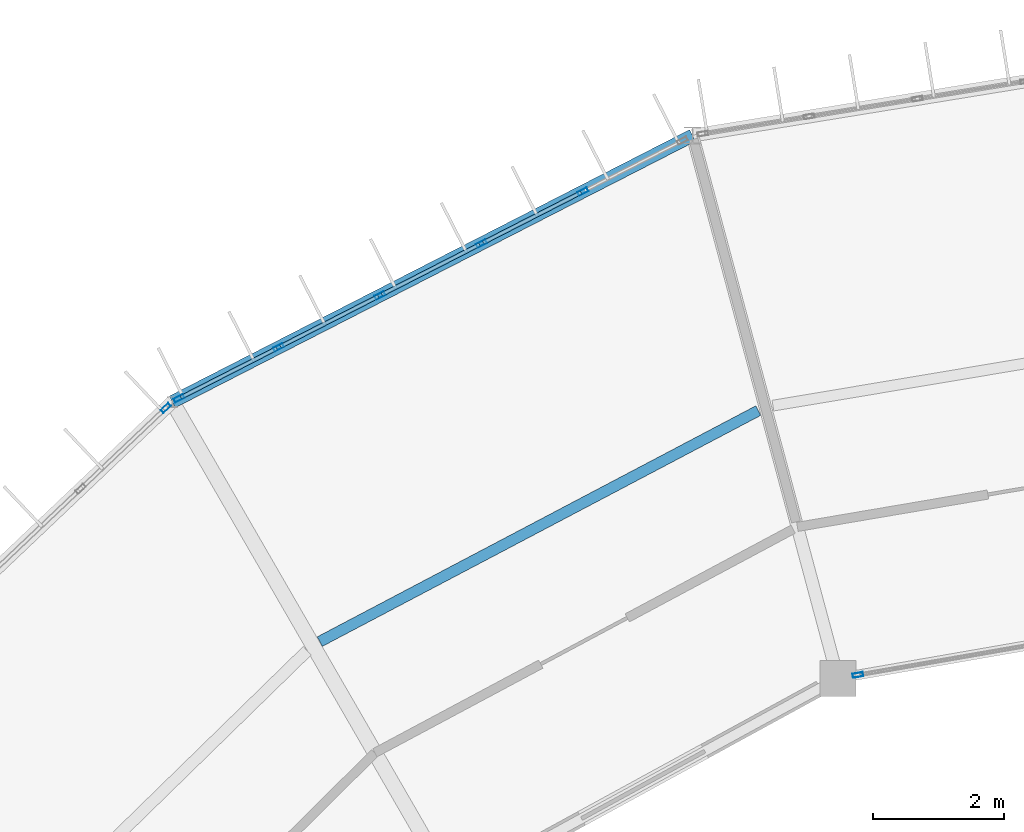
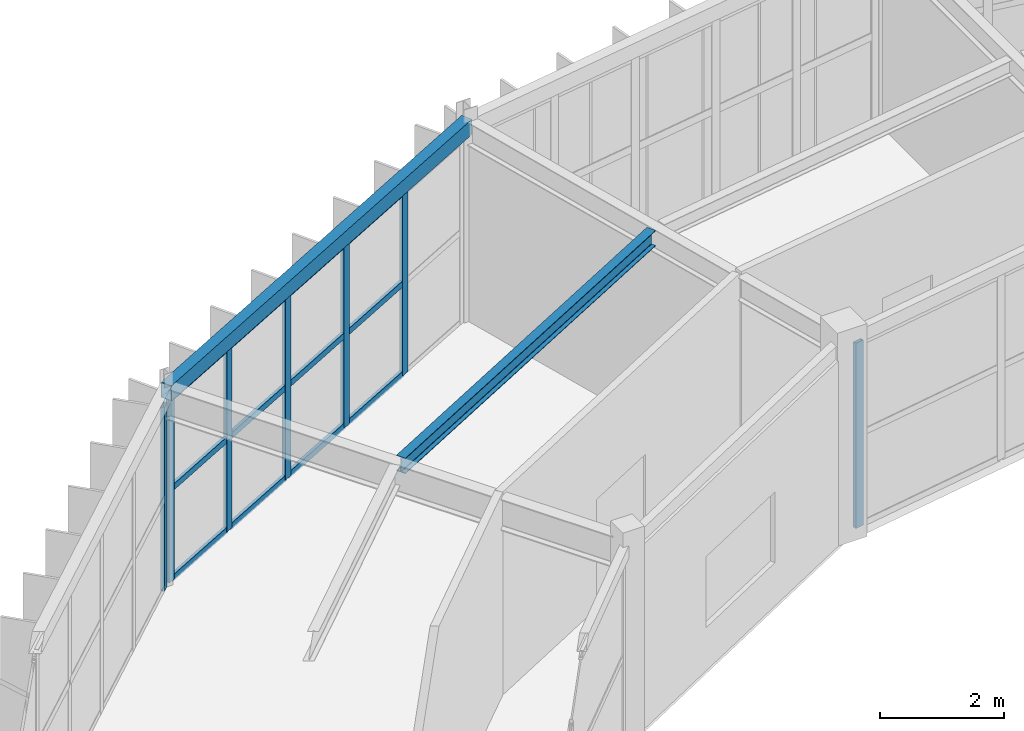
# One storey, part 69 of 130: 19 members, 2 beams, 3 elements without a shape of their own.
"""IFC4 building model written with IfcOpenShell, lengths in metres."""

from ifc_helpers import new_model, si_unit, direction, frame, origin, origin_2d, place, context, subcontext, project, spatial, hollow_rectangle, i_section, extrude, material, material_profile, profile_set, type_object, element, aggregate, save


model = new_model("IFC4")

# Units and contexts
model_context = context("Model", 3, precision=1e-05, world=origin(), true_north=direction((0.0, 1.0)))
body_context = subcontext(model_context, "Body", "Model", "MODEL_VIEW")
ifc_project = project(units=[si_unit("LENGTHUNIT", "METRE"), si_unit("AREAUNIT", "SQUARE_METRE"), si_unit("VOLUMEUNIT", "CUBIC_METRE"), si_unit("PLANEANGLEUNIT", "RADIAN"), si_unit("MASSUNIT", "GRAM", prefix="KILO")], contexts=[model_context])

# Site, building, storey
site_placement = place(None, origin())
site = spatial("IfcSite", under=ifc_project, at=site_placement, CompositionType="ELEMENT")
building_placement = place(site_placement, origin())
building = spatial("IfcBuilding", under=site, at=building_placement, Name="Karori Crest Natural Sciences Institute", CompositionType="ELEMENT")
storey_placement = place(building_placement, frame((0.0, 0.0, 17.5)))
storey = spatial("IfcBuildingStorey", under=building, at=storey_placement, Name="L04", CompositionType="ELEMENT", Elevation=17.5)

# Beams
ifc_material_1 = material(Name="Structural steel AS/NZS 3679.1 Grade 350", Category="steel")
ifc_material_profile_1 = material_profile(ifc_material_1, i_section(OverallWidth=0.166015625, OverallDepth=0.306884765625, WebThickness=0.006591796875, FlangeThickness=0.01171875, FilletRadius=0.010986328125, at=origin_2d()), Name="310UB46.2")
ifc_profile_set_1 = profile_set([ifc_material_profile_1], Name="Structural steel AS/NZS 3679.1 Grade 350")
beam_type_1 = type_object("IfcBeamType", Name="BT-09", PredefinedType="BEAM", material=ifc_profile_set_1)
beam_1_placement = place(storey_placement, frame((58.86572265625, 85.100341796875, 3.78662109375), z_axis=(-0.884748465601, -0.466068828197, 0.0), x_axis=(0.466068828197, -0.884748465601, 0.0)))
element("IfcBeam", 1, at=beam_1_placement, inside=storey, type_object=beam_type_1, Name="Beam B-0480", PredefinedType="BEAM", context=body_context, shape_type="SweptSolid", body=[
    extrude(i_section(OverallWidth=0.166015625, OverallDepth=0.306884765625, WebThickness=0.006591796875, FlangeThickness=0.01171875, FilletRadius=0.010986328125, at=origin_2d()), origin(), (0.0, 0.0, 1.0), 7.58349609375),
])
ifc_material_2 = material(Name="Hollow structural steel AS/NZS 1163 Grade C350", Category="steel")
ifc_material_profile_2 = material_profile(ifc_material_2, hollow_rectangle(XDim=0.199951171875, YDim=0.300048828125, WallThickness=0.010009765625, at=origin_2d()), Name="RHS300x200x10")
ifc_profile_set_2 = profile_set([ifc_material_profile_2], Name="Hollow structural steel AS/NZS 1163 Grade C350")
beam_type_2 = type_object("IfcBeamType", Name="BT-15", PredefinedType="SPANDREL", material=ifc_profile_set_2)
beam_2_placement = place(storey_placement, frame((57.85888671875, 89.309814453125, 3.7900390625), z_axis=(-0.890071733872, -0.455820478436, 0.0), x_axis=(0.455820478436, -0.890071733872, 0.0)))
element("IfcBeam", 2, at=beam_2_placement, inside=storey, type_object=beam_type_2, Name="Beam B-0477", PredefinedType="SPANDREL", context=body_context, shape_type="SweptSolid", body=[
    extrude(hollow_rectangle(XDim=0.199951171875, YDim=0.300048828125, WallThickness=0.010009765625, at=origin_2d()), origin(), (0.0, 0.0, 1.0), 8.94189453125),
])

# Curtain wall, member
ifc_material_3 = material(Name="Anodised architectural aluminium 6063-T6", Category="aluminium")
curtain_wall_type_1 = type_object("IfcCurtainWallType", Name="CWT-12", PredefinedType="NOTDEFINED", material=ifc_material_3)
curtain_wall_1_placement = place(storey_placement, origin())
curtain_wall_1 = element("IfcCurtainWall", 3, at=curtain_wall_1_placement, inside=storey, type_object=curtain_wall_type_1, Name="Curtain wall CW-0146", PredefinedType="NOTDEFINED")
ifc_material_profile_3 = material_profile(ifc_material_3, hollow_rectangle(XDim=0.06494140625, YDim=0.159912109375, WallThickness=0.00390625, at=origin_2d()), Name="CWM160x65x4")
ifc_profile_set_3 = profile_set([ifc_material_profile_3], Name="Anodised architectural aluminium 6063-T6")
member_type_1 = type_object("IfcMemberType", Name="CWM-01", PredefinedType="MULLION", material=ifc_profile_set_3)
member_1_placement = place(storey_placement, frame((60.389892578125, 81.0556640625, 0.0), z_axis=(0.0, 0.0, 1.0), x_axis=(0.171173924291, -0.985240827231, 0.0)))
member_1 = element("IfcMember", 4, at=member_1_placement, type_object=member_type_1, Name="CW-0146 mullion 3", PredefinedType="MULLION", context=body_context, shape_type="SweptSolid", body=[
    extrude(hollow_rectangle(XDim=0.06494140625, YDim=0.159912109375, WallThickness=0.00390625, at=origin_2d()), origin(), (0.0, 0.0, 1.0), 3.64990234375),
])
aggregate(curtain_wall_1, [member_1])

# Curtain wall, members
curtain_wall_type_2 = type_object("IfcCurtainWallType", Name="CWT-08", PredefinedType="NOTDEFINED", material=ifc_material_3)
curtain_wall_2_placement = place(storey_placement, origin())
curtain_wall_2 = element("IfcCurtainWall", 5, at=curtain_wall_2_placement, inside=storey, type_object=curtain_wall_type_2, Name="Curtain wall CW-0147", PredefinedType="NOTDEFINED")
member_2_placement = place(storey_placement, frame((50.004150390625, 85.287109375, 0.0), z_axis=(0.0, 0.0, 1.0), x_axis=(-0.455828878252, 0.890067432138, 0.0)))
member_2 = element("IfcMember", 6, at=member_2_placement, type_object=member_type_1, Name="CW-0147 mullion 1", PredefinedType="MULLION", context=body_context, shape_type="SweptSolid", body=[
    extrude(hollow_rectangle(XDim=0.06494140625, YDim=0.159912109375, WallThickness=0.00390625, at=origin_2d()), origin(), (0.0, 0.0, 1.0), 3.625),
])
member_3_placement = place(storey_placement, frame((51.52685546875, 86.06689453125, 0.0), z_axis=(0.0, 0.0, 1.0), x_axis=(-0.455828878252, 0.890067432138, 0.0)))
member_3 = element("IfcMember", 7, at=member_3_placement, type_object=member_type_1, Name="CW-0147 mullion 2", PredefinedType="MULLION", context=body_context, shape_type="SweptSolid", body=[
    extrude(hollow_rectangle(XDim=0.06494140625, YDim=0.159912109375, WallThickness=0.00390625, at=origin_2d()), origin(), (0.0, 0.0, 1.0), 3.625),
])
member_4_placement = place(storey_placement, frame((53.07861328125, 86.861572265625, 0.0), z_axis=(0.0, 0.0, 1.0), x_axis=(-0.455828878252, 0.890067432138, 0.0)))
member_4 = element("IfcMember", 8, at=member_4_placement, type_object=member_type_1, Name="CW-0147 mullion 3", PredefinedType="MULLION", context=body_context, shape_type="SweptSolid", body=[
    extrude(hollow_rectangle(XDim=0.06494140625, YDim=0.159912109375, WallThickness=0.00390625, at=origin_2d()), origin(), (0.0, 0.0, 1.0), 3.625),
])
member_5_placement = place(storey_placement, frame((54.63037109375, 87.65625, 0.0), z_axis=(0.0, 0.0, 1.0), x_axis=(-0.455828878252, 0.890067432138, 0.0)))
member_5 = element("IfcMember", 9, at=member_5_placement, type_object=member_type_1, Name="CW-0147 mullion 4", PredefinedType="MULLION", context=body_context, shape_type="SweptSolid", body=[
    extrude(hollow_rectangle(XDim=0.06494140625, YDim=0.159912109375, WallThickness=0.00390625, at=origin_2d()), origin(), (0.0, 0.0, 1.0), 3.625),
])
member_6_placement = place(storey_placement, frame((56.18212890625, 88.450927734375, 0.0), z_axis=(0.0, 0.0, 1.0), x_axis=(-0.455828878252, 0.890067432138, 0.0)))
member_6 = element("IfcMember", 10, at=member_6_placement, type_object=member_type_1, Name="CW-0147 mullion 5", PredefinedType="MULLION", context=body_context, shape_type="SweptSolid", body=[
    extrude(hollow_rectangle(XDim=0.06494140625, YDim=0.159912109375, WallThickness=0.00390625, at=origin_2d()), origin(), (0.0, 0.0, 1.0), 3.625),
])

# Curtain wall, member
curtain_wall_type_3 = type_object("IfcCurtainWallType", Name="CWT-09", PredefinedType="NOTDEFINED", material=ifc_material_3)
curtain_wall_3_placement = place(storey_placement, origin())
curtain_wall_3 = element("IfcCurtainWall", 11, at=curtain_wall_3_placement, inside=storey, type_object=curtain_wall_type_3, Name="Curtain wall CW-0148", PredefinedType="NOTDEFINED")
member_7_placement = place(storey_placement, frame((49.801025390625, 85.139892578125, 0.0), z_axis=(0.0, 0.0, 1.0), x_axis=(-0.688250542104, 0.725473081026, 0.0)))
member_7 = element("IfcMember", 12, at=member_7_placement, type_object=member_type_1, Name="CW-0148 mullion 6", PredefinedType="MULLION", context=body_context, shape_type="SweptSolid", body=[
    extrude(hollow_rectangle(XDim=0.06494140625, YDim=0.159912109375, WallThickness=0.00390625, at=origin_2d()), origin(), (0.0, 0.0, 1.0), 3.625),
])
aggregate(curtain_wall_3, [member_7])

# Member
ifc_material_profile_4 = material_profile(ifc_material_3, hollow_rectangle(XDim=0.06005859375, YDim=0.1201171875, WallThickness=0.00390625, at=origin_2d()), Name="CWT120x60x4")
ifc_profile_set_4 = profile_set([ifc_material_profile_4], Name="Anodised architectural aluminium 6063-T6")
member_type_2 = type_object("IfcMemberType", Name="CWT-TR1", PredefinedType="USERDEFINED", material=ifc_profile_set_4)
member_8_placement = place(storey_placement, frame((50.032958984375, 85.302001953125, 0.030029296875), z_axis=(0.890084461025, 0.455795625518, 0.0), x_axis=(-0.455795625518, 0.890084461025, 0.0)))
member_8 = element("IfcMember", 13, at=member_8_placement, type_object=member_type_2, Name="CW-0147 transom 1.1", ObjectType="TRANSOM", PredefinedType="USERDEFINED", context=body_context, shape_type="SweptSolid", body=[
    extrude(hollow_rectangle(XDim=0.06005859375, YDim=0.1201171875, WallThickness=0.00390625, at=origin_2d()), origin(), (0.0, 0.0, 1.0), 1.64599609375),
])

member_9_placement = place(storey_placement, frame((50.032958984375, 85.302001953125, 1.8125), z_axis=(0.890084461025, 0.455795625518, 0.0), x_axis=(-0.455795625518, 0.890084461025, 0.0)))
member_9 = element("IfcMember", 14, at=member_9_placement, type_object=member_type_2, Name="CW-0147 transom 1.2", ObjectType="TRANSOM", PredefinedType="USERDEFINED", context=body_context, shape_type="SweptSolid", body=[
    extrude(hollow_rectangle(XDim=0.06005859375, YDim=0.1201171875, WallThickness=0.00390625, at=origin_2d()), origin(), (0.0, 0.0, 1.0), 1.64599609375),
])

member_10_placement = place(storey_placement, frame((50.032958984375, 85.302001953125, 3.594970703125), z_axis=(0.890084461025, 0.455795625518, 0.0), x_axis=(-0.455795625518, 0.890084461025, 0.0)))
member_10 = element("IfcMember", 15, at=member_10_placement, type_object=member_type_2, Name="CW-0147 transom 1.3", ObjectType="TRANSOM", PredefinedType="USERDEFINED", context=body_context, shape_type="SweptSolid", body=[
    extrude(hollow_rectangle(XDim=0.06005859375, YDim=0.1201171875, WallThickness=0.00390625, at=origin_2d()), origin(), (0.0, 0.0, 1.0), 1.64599609375),
])

member_11_placement = place(storey_placement, frame((51.555908203125, 86.081787109375, 0.030029296875), z_axis=(0.890050562189, 0.455861817601, 0.0), x_axis=(-0.455861817601, 0.890050562189, 0.0)))
member_11 = element("IfcMember", 16, at=member_11_placement, type_object=member_type_2, Name="CW-0147 transom 2.1", ObjectType="TRANSOM", PredefinedType="USERDEFINED", context=body_context, shape_type="SweptSolid", body=[
    extrude(hollow_rectangle(XDim=0.06005859375, YDim=0.1201171875, WallThickness=0.00390625, at=origin_2d()), origin(), (0.0, 0.0, 1.0), 1.678466796875),
])

member_12_placement = place(storey_placement, frame((51.555908203125, 86.081787109375, 1.8125), z_axis=(0.890050562189, 0.455861817601, 0.0), x_axis=(-0.455861817601, 0.890050562189, 0.0)))
member_12 = element("IfcMember", 17, at=member_12_placement, type_object=member_type_2, Name="CW-0147 transom 2.2", ObjectType="TRANSOM", PredefinedType="USERDEFINED", context=body_context, shape_type="SweptSolid", body=[
    extrude(hollow_rectangle(XDim=0.06005859375, YDim=0.1201171875, WallThickness=0.00390625, at=origin_2d()), origin(), (0.0, 0.0, 1.0), 1.678466796875),
])

member_13_placement = place(storey_placement, frame((51.555908203125, 86.081787109375, 3.594970703125), z_axis=(0.890050562189, 0.455861817601, 0.0), x_axis=(-0.455861817601, 0.890050562189, 0.0)))
member_13 = element("IfcMember", 18, at=member_13_placement, type_object=member_type_2, Name="CW-0147 transom 2.3", ObjectType="TRANSOM", PredefinedType="USERDEFINED", context=body_context, shape_type="SweptSolid", body=[
    extrude(hollow_rectangle(XDim=0.06005859375, YDim=0.1201171875, WallThickness=0.00390625, at=origin_2d()), origin(), (0.0, 0.0, 1.0), 1.678466796875),
])

member_14_placement = place(storey_placement, frame((53.107666015625, 86.87646484375, 0.030029296875), z_axis=(0.890020328927, 0.455920841919, 0.0), x_axis=(-0.455920841919, 0.890020328927, 0.0)))
member_14 = element("IfcMember", 19, at=member_14_placement, type_object=member_type_2, Name="CW-0147 transom 3.1", ObjectType="TRANSOM", PredefinedType="USERDEFINED", context=body_context, shape_type="SweptSolid", body=[
    extrude(hollow_rectangle(XDim=0.06005859375, YDim=0.1201171875, WallThickness=0.00390625, at=origin_2d()), origin(), (0.0, 0.0, 1.0), 1.67822265625),
])

member_15_placement = place(storey_placement, frame((53.107666015625, 86.87646484375, 1.8125), z_axis=(0.890020328927, 0.455920841919, 0.0), x_axis=(-0.455920841919, 0.890020328927, 0.0)))
member_15 = element("IfcMember", 20, at=member_15_placement, type_object=member_type_2, Name="CW-0147 transom 3.2", ObjectType="TRANSOM", PredefinedType="USERDEFINED", context=body_context, shape_type="SweptSolid", body=[
    extrude(hollow_rectangle(XDim=0.06005859375, YDim=0.1201171875, WallThickness=0.00390625, at=origin_2d()), origin(), (0.0, 0.0, 1.0), 1.67822265625),
])

member_16_placement = place(storey_placement, frame((53.107666015625, 86.87646484375, 3.594970703125), z_axis=(0.890020328927, 0.455920841919, 0.0), x_axis=(-0.455920841919, 0.890020328927, 0.0)))
member_16 = element("IfcMember", 21, at=member_16_placement, type_object=member_type_2, Name="CW-0147 transom 3.3", ObjectType="TRANSOM", PredefinedType="USERDEFINED", context=body_context, shape_type="SweptSolid", body=[
    extrude(hollow_rectangle(XDim=0.06005859375, YDim=0.1201171875, WallThickness=0.00390625, at=origin_2d()), origin(), (0.0, 0.0, 1.0), 1.67822265625),
])

member_17_placement = place(storey_placement, frame((54.6591796875, 87.671142578125, 0.030029296875), z_axis=(0.890050562189, 0.455861817601, 0.0), x_axis=(-0.455861817601, 0.890050562189, 0.0)))
member_17 = element("IfcMember", 22, at=member_17_placement, type_object=member_type_2, Name="CW-0147 transom 4.1", ObjectType="TRANSOM", PredefinedType="USERDEFINED", context=body_context, shape_type="SweptSolid", body=[
    extrude(hollow_rectangle(XDim=0.06005859375, YDim=0.1201171875, WallThickness=0.00390625, at=origin_2d()), origin(), (0.0, 0.0, 1.0), 1.678466796875),
])

member_18_placement = place(storey_placement, frame((54.6591796875, 87.671142578125, 1.8125), z_axis=(0.890050562189, 0.455861817601, 0.0), x_axis=(-0.455861817601, 0.890050562189, 0.0)))
member_18 = element("IfcMember", 23, at=member_18_placement, type_object=member_type_2, Name="CW-0147 transom 4.2", ObjectType="TRANSOM", PredefinedType="USERDEFINED", context=body_context, shape_type="SweptSolid", body=[
    extrude(hollow_rectangle(XDim=0.06005859375, YDim=0.1201171875, WallThickness=0.00390625, at=origin_2d()), origin(), (0.0, 0.0, 1.0), 1.678466796875),
])

member_19_placement = place(storey_placement, frame((54.6591796875, 87.671142578125, 3.594970703125), z_axis=(0.890050562189, 0.455861817601, 0.0), x_axis=(-0.455861817601, 0.890050562189, 0.0)))
member_19 = element("IfcMember", 24, at=member_19_placement, type_object=member_type_2, Name="CW-0147 transom 4.3", ObjectType="TRANSOM", PredefinedType="USERDEFINED", context=body_context, shape_type="SweptSolid", body=[
    extrude(hollow_rectangle(XDim=0.06005859375, YDim=0.1201171875, WallThickness=0.00390625, at=origin_2d()), origin(), (0.0, 0.0, 1.0), 1.678466796875),
])

aggregate(curtain_wall_2, [member_2, member_3, member_4, member_5, member_6, member_8, member_9, member_10, member_11, member_12, member_13, member_14, member_15, member_16, member_17, member_18, member_19])

save(model, "model.ifc")
